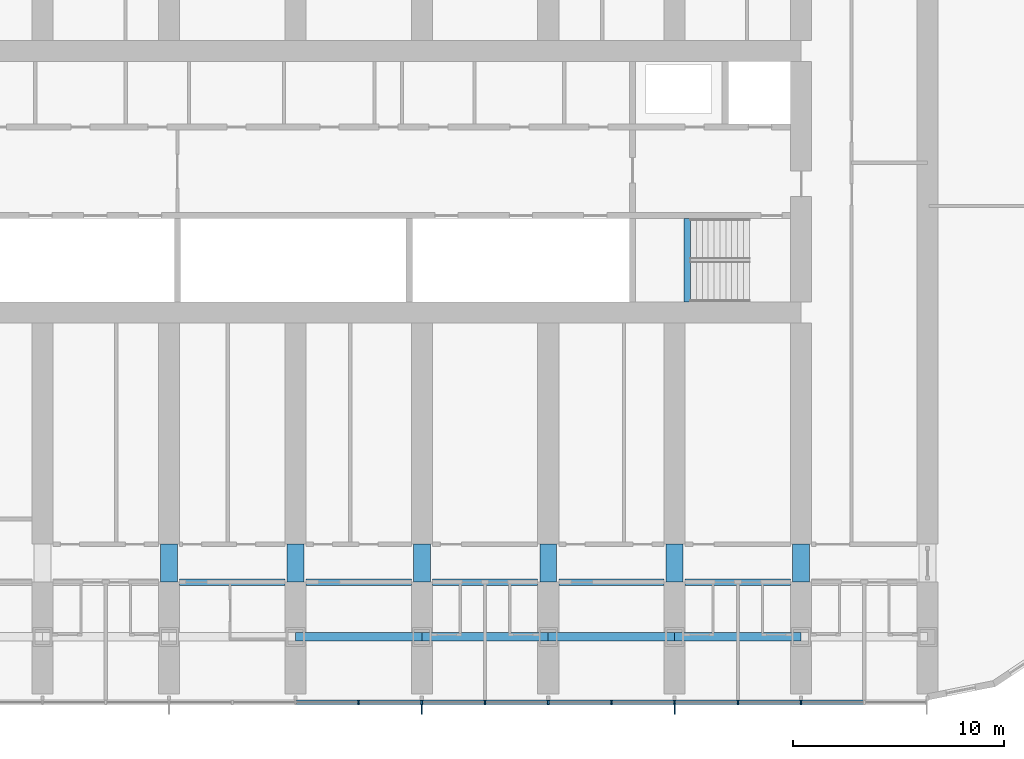
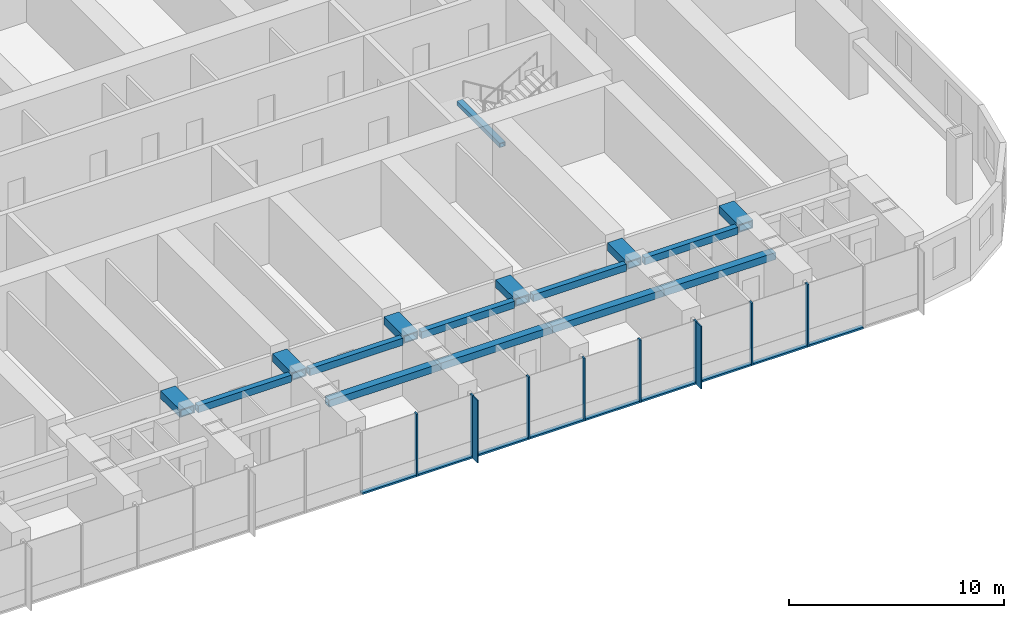
# One storey, part 3 of 24: 19 members, 16 beams, 1 element without a shape of its own.
"""IFC4 building model written with IfcOpenShell, lengths in metres."""

from ifc_helpers import new_model, si_unit, direction, frame, origin, origin_2d, place, context, subcontext, project, spatial, rectangle, hollow_rectangle, extrude, material, material_profile, profile_set, type_object, element, aggregate, save


model = new_model("IFC4")

# Units and contexts
model_context = context("Model", 3, precision=1e-05, world=origin(), true_north=direction((0.0, 1.0)))
body_context = subcontext(model_context, "Body", "Model", "MODEL_VIEW")
ifc_project = project(units=[si_unit("LENGTHUNIT", "METRE"), si_unit("AREAUNIT", "SQUARE_METRE"), si_unit("VOLUMEUNIT", "CUBIC_METRE"), si_unit("PLANEANGLEUNIT", "RADIAN"), si_unit("MASSUNIT", "GRAM", prefix="KILO")], contexts=[model_context])

# Site, building, storey
site_placement = place(None, origin())
site = spatial("IfcSite", under=ifc_project, at=site_placement, CompositionType="ELEMENT")
building_placement = place(site_placement, origin())
building = spatial("IfcBuilding", under=site, at=building_placement, Name="Orbita Commons", CompositionType="ELEMENT")
storey_placement = place(building_placement, frame((0.0, 0.0, 20.199951171875)))
storey = spatial("IfcBuildingStorey", under=building, at=storey_placement, Name="L04", CompositionType="ELEMENT", Elevation=20.199951171875)

# Curtain wall, members
ifc_material_1 = material(Name="Anodised aluminium frame, pale silver", Category="aluminium")
curtain_wall_type = type_object("IfcCurtainWallType", Name="Unitised curtain wall CW-T, vision and spandrel", PredefinedType="NOTDEFINED", material=ifc_material_1)
curtain_wall_placement = place(storey_placement, origin())
curtain_wall = element("IfcCurtainWall", 1, at=curtain_wall_placement, inside=storey, type_object=curtain_wall_type, Name="Curtain wall south L04", PredefinedType="NOTDEFINED")
ifc_material_2 = material(Name="Anodised aluminium, pale silver", Category="aluminium")
ifc_material_profile_1 = material_profile(ifc_material_2, rectangle(XDim=0.080078125, YDim=0.219970703125, at=origin_2d()), Name="AL 80x220")
ifc_profile_set_1 = profile_set([ifc_material_profile_1], Name="Anodised aluminium, pale silver")
member_type_1 = type_object("IfcMemberType", Name="Curtain wall mullion 80x220", PredefinedType="MULLION", material=ifc_profile_set_1)
member_1_placement = place(storey_placement, frame((45.0, 7.2900390625, -0.25), z_axis=(0.0, 0.0, 1.0), x_axis=(1.0, 0.0, 0.0)))
member_1 = element("IfcMember", 2, at=member_1_placement, type_object=member_type_1, Name="Mullion 12 CW-L04-S", PredefinedType="MULLION", context=body_context, shape_type="SweptSolid", body=[
    extrude(rectangle(XDim=0.080078125, YDim=0.219970703125, at=origin_2d()), origin(), (0.0, 0.0, 1.0), 3.550048828125),
])
member_2_placement = place(storey_placement, frame((48.0, 7.2900390625, -0.25), z_axis=(0.0, 0.0, 1.0), x_axis=(1.0, 0.0, 0.0)))
member_2 = element("IfcMember", 3, at=member_2_placement, type_object=member_type_1, Name="Mullion 13 CW-L04-S", PredefinedType="MULLION", context=body_context, shape_type="SweptSolid", body=[
    extrude(rectangle(XDim=0.080078125, YDim=0.219970703125, at=origin_2d()), origin(), (0.0, 0.0, 1.0), 3.550048828125),
])
member_3_placement = place(storey_placement, frame((51.0, 7.2900390625, -0.25), z_axis=(0.0, 0.0, 1.0), x_axis=(1.0, 0.0, 0.0)))
member_3 = element("IfcMember", 4, at=member_3_placement, type_object=member_type_1, Name="Mullion 14 CW-L04-S", PredefinedType="MULLION", context=body_context, shape_type="SweptSolid", body=[
    extrude(rectangle(XDim=0.080078125, YDim=0.219970703125, at=origin_2d()), origin(), (0.0, 0.0, 1.0), 3.550048828125),
])
member_4_placement = place(storey_placement, frame((54.0, 7.2900390625, -0.25), z_axis=(0.0, 0.0, 1.0), x_axis=(1.0, 0.0, 0.0)))
member_4 = element("IfcMember", 5, at=member_4_placement, type_object=member_type_1, Name="Mullion 15 CW-L04-S", PredefinedType="MULLION", context=body_context, shape_type="SweptSolid", body=[
    extrude(rectangle(XDim=0.080078125, YDim=0.219970703125, at=origin_2d()), origin(), (0.0, 0.0, 1.0), 3.550048828125),
])
member_5_placement = place(storey_placement, frame((57.0, 7.2900390625, -0.25), z_axis=(0.0, 0.0, 1.0), x_axis=(1.0, 0.0, 0.0)))
member_5 = element("IfcMember", 6, at=member_5_placement, type_object=member_type_1, Name="Mullion 16 CW-L04-S", PredefinedType="MULLION", context=body_context, shape_type="SweptSolid", body=[
    extrude(rectangle(XDim=0.080078125, YDim=0.219970703125, at=origin_2d()), origin(), (0.0, 0.0, 1.0), 3.550048828125),
])
member_6_placement = place(storey_placement, frame((60.0, 7.2900390625, -0.25), z_axis=(0.0, 0.0, 1.0), x_axis=(1.0, 0.0, 0.0)))
member_6 = element("IfcMember", 7, at=member_6_placement, type_object=member_type_1, Name="Mullion 17 CW-L04-S", PredefinedType="MULLION", context=body_context, shape_type="SweptSolid", body=[
    extrude(rectangle(XDim=0.080078125, YDim=0.219970703125, at=origin_2d()), origin(), (0.0, 0.0, 1.0), 3.550048828125),
])
member_7_placement = place(storey_placement, frame((63.0, 7.2900390625, -0.25), z_axis=(0.0, 0.0, 1.0), x_axis=(1.0, 0.0, 0.0)))
member_7 = element("IfcMember", 8, at=member_7_placement, type_object=member_type_1, Name="Mullion 18 CW-L04-S", PredefinedType="MULLION", context=body_context, shape_type="SweptSolid", body=[
    extrude(rectangle(XDim=0.080078125, YDim=0.219970703125, at=origin_2d()), origin(), (0.0, 0.0, 1.0), 3.550048828125),
])
member_8_placement = place(storey_placement, frame((66.0, 7.2900390625, -0.25), z_axis=(0.0, 0.0, 1.0), x_axis=(1.0, 0.0, 0.0)))
member_8 = element("IfcMember", 9, at=member_8_placement, type_object=member_type_1, Name="Mullion 19 CW-L04-S", PredefinedType="MULLION", context=body_context, shape_type="SweptSolid", body=[
    extrude(rectangle(XDim=0.080078125, YDim=0.219970703125, at=origin_2d()), origin(), (0.0, 0.0, 1.0), 3.550048828125),
])
ifc_material_3 = material(Name="Anodised aluminium, pale silver", Category="aluminium")
ifc_material_profile_2 = material_profile(ifc_material_3, rectangle(XDim=0.219970703125, YDim=0.10009765625, at=origin_2d()), Name="AL 220x100")
ifc_profile_set_2 = profile_set([ifc_material_profile_2], Name="Anodised aluminium, pale silver")
member_type_2 = type_object("IfcMemberType", Name="Curtain wall stack transom 220x100", PredefinedType="USERDEFINED", material=ifc_profile_set_2)
member_9_placement = place(storey_placement, frame((42.0400390625, 7.2900390625, -0.199951171875), z_axis=(1.0, 0.0, 0.0), x_axis=(0.0, 1.0, 0.0)))
member_9 = element("IfcMember", 10, at=member_9_placement, type_object=member_type_2, Name="Transom 11.1 CW-L04-S", ObjectType="TRANSOM", PredefinedType="USERDEFINED", context=body_context, shape_type="SweptSolid", body=[
    extrude(rectangle(XDim=0.219970703125, YDim=0.10009765625, at=origin_2d()), origin(), (0.0, 0.0, 1.0), 2.919921875),
])
member_10_placement = place(storey_placement, frame((45.0400390625, 7.2900390625, -0.199951171875), z_axis=(1.0, 0.0, 0.0), x_axis=(0.0, 1.0, 0.0)))
member_10 = element("IfcMember", 11, at=member_10_placement, type_object=member_type_2, Name="Transom 12.1 CW-L04-S", ObjectType="TRANSOM", PredefinedType="USERDEFINED", context=body_context, shape_type="SweptSolid", body=[
    extrude(rectangle(XDim=0.219970703125, YDim=0.10009765625, at=origin_2d()), origin(), (0.0, 0.0, 1.0), 2.919921875),
])
member_11_placement = place(storey_placement, frame((48.0400390625, 7.2900390625, -0.199951171875), z_axis=(1.0, 0.0, 0.0), x_axis=(0.0, 1.0, 0.0)))
member_11 = element("IfcMember", 12, at=member_11_placement, type_object=member_type_2, Name="Transom 13.1 CW-L04-S", ObjectType="TRANSOM", PredefinedType="USERDEFINED", context=body_context, shape_type="SweptSolid", body=[
    extrude(rectangle(XDim=0.219970703125, YDim=0.10009765625, at=origin_2d()), origin(), (0.0, 0.0, 1.0), 2.919921875),
])
member_12_placement = place(storey_placement, frame((51.0400390625, 7.2900390625, -0.199951171875), z_axis=(1.0, 0.0, 0.0), x_axis=(0.0, 1.0, 0.0)))
member_12 = element("IfcMember", 13, at=member_12_placement, type_object=member_type_2, Name="Transom 14.1 CW-L04-S", ObjectType="TRANSOM", PredefinedType="USERDEFINED", context=body_context, shape_type="SweptSolid", body=[
    extrude(rectangle(XDim=0.219970703125, YDim=0.10009765625, at=origin_2d()), origin(), (0.0, 0.0, 1.0), 2.919921875),
])
member_13_placement = place(storey_placement, frame((54.0400390625, 7.2900390625, -0.199951171875), z_axis=(1.0, 0.0, 0.0), x_axis=(0.0, 1.0, 0.0)))
member_13 = element("IfcMember", 14, at=member_13_placement, type_object=member_type_2, Name="Transom 15.1 CW-L04-S", ObjectType="TRANSOM", PredefinedType="USERDEFINED", context=body_context, shape_type="SweptSolid", body=[
    extrude(rectangle(XDim=0.219970703125, YDim=0.10009765625, at=origin_2d()), origin(), (0.0, 0.0, 1.0), 2.919921875),
])
member_14_placement = place(storey_placement, frame((57.0400390625, 7.2900390625, -0.199951171875), z_axis=(1.0, 0.0, 0.0), x_axis=(0.0, 1.0, 0.0)))
member_14 = element("IfcMember", 15, at=member_14_placement, type_object=member_type_2, Name="Transom 16.1 CW-L04-S", ObjectType="TRANSOM", PredefinedType="USERDEFINED", context=body_context, shape_type="SweptSolid", body=[
    extrude(rectangle(XDim=0.219970703125, YDim=0.10009765625, at=origin_2d()), origin(), (0.0, 0.0, 1.0), 2.919921875),
])
member_15_placement = place(storey_placement, frame((60.0400390625, 7.2900390625, -0.199951171875), z_axis=(1.0, 0.0, 0.0), x_axis=(0.0, 1.0, 0.0)))
member_15 = element("IfcMember", 16, at=member_15_placement, type_object=member_type_2, Name="Transom 17.1 CW-L04-S", ObjectType="TRANSOM", PredefinedType="USERDEFINED", context=body_context, shape_type="SweptSolid", body=[
    extrude(rectangle(XDim=0.219970703125, YDim=0.10009765625, at=origin_2d()), origin(), (0.0, 0.0, 1.0), 2.919921875),
])
member_16_placement = place(storey_placement, frame((63.0400390625, 7.2900390625, -0.199951171875), z_axis=(1.0, 0.0, 0.0), x_axis=(0.0, 1.0, 0.0)))
member_16 = element("IfcMember", 17, at=member_16_placement, type_object=member_type_2, Name="Transom 18.1 CW-L04-S", ObjectType="TRANSOM", PredefinedType="USERDEFINED", context=body_context, shape_type="SweptSolid", body=[
    extrude(rectangle(XDim=0.219970703125, YDim=0.10009765625, at=origin_2d()), origin(), (0.0, 0.0, 1.0), 2.919921875),
])
member_17_placement = place(storey_placement, frame((66.0400390625, 7.2900390625, -0.199951171875), z_axis=(1.0, 0.0, 0.0), x_axis=(0.0, 1.0, 0.0)))
member_17 = element("IfcMember", 18, at=member_17_placement, type_object=member_type_2, Name="Transom 19.1 CW-L04-S", ObjectType="TRANSOM", PredefinedType="USERDEFINED", context=body_context, shape_type="SweptSolid", body=[
    extrude(rectangle(XDim=0.219970703125, YDim=0.10009765625, at=origin_2d()), origin(), (0.0, 0.0, 1.0), 2.919921875),
])

# Beams
ifc_material_4 = material(Name="Steel ASTM A572 Gr 50 welded plate", Category="steel")
ifc_material_profile_3 = material_profile(ifc_material_4, hollow_rectangle(XDim=0.300048828125, YDim=0.25, WallThickness=0.02490234375, at=origin_2d()), Name="BOX 250x300x25")
ifc_profile_set_3 = profile_set([ifc_material_profile_3], Name="Steel ASTM A572 Gr 50 welded plate")
beam_type_1 = type_object("IfcBeamType", Name="Stair landing beam steel BOX 250x300x25", PredefinedType="BEAM", material=ifc_profile_set_3)
beam_placement = place(storey_placement, frame((60.60009765625, 26.284912109375, 1.550048828125), z_axis=(0.0, 1.0, 0.0), x_axis=(-1.0, 0.0, 0.0)))
element("IfcBeam", 19, at=beam_placement, inside=storey, type_object=beam_type_1, Name="Stair S2 landing beam L04 1", PredefinedType="BEAM", context=body_context, shape_type="SweptSolid", body=[
    extrude(hollow_rectangle(XDim=0.300048828125, YDim=0.25, WallThickness=0.02490234375, at=origin_2d()), origin(), (0.0, 0.0, 1.0), 3.97998046875),
])
ifc_material_5 = material(Name="Steel ASTM A572 Gr 50 welded plate", Category="steel")
ifc_material_profile_4 = material_profile(ifc_material_5, hollow_rectangle(XDim=0.300048828125, YDim=0.39990234375, WallThickness=0.0400390625, at=origin_2d()), Name="BOX 400x300x40")
ifc_profile_set_4 = profile_set([ifc_material_profile_4], Name="Steel ASTM A572 Gr 50 welded plate")
beam_type_2 = type_object("IfcBeamType", Name="Steel corridor link BOX 400x300x40", PredefinedType="BEAM", material=ifc_profile_set_4)
for number, where, z_axis, x_axis, name in (
    (20, (36.5, 13.0, 3.10009765625), (1.0, 0.0, 0.0), (0.0, 1.0, 0.0), "Corridor beam SA 7-8 L04"),
    (21, (42.5, 13.0, 3.10009765625), (1.0, 0.0, 0.0), (0.0, 1.0, 0.0), "Corridor beam SA 8-9 L04"),
    (22, (48.5, 13.0, 3.10009765625), (1.0, 0.0, 0.0), (0.0, 1.0, 0.0), "Corridor beam SA 9-10 L04"),
    (23, (54.5, 13.0, 3.10009765625), (1.0, 0.0, 0.0), (0.0, 1.0, 0.0), "Corridor beam SA 10-11 L04"),
    (24, (60.5, 13.0, 3.10009765625), (1.0, 0.0, 0.0), (0.0, 1.0, 0.0), "Corridor beam SA 11-12 L04"),
):
    element("IfcBeam", number, at=place(storey_placement, frame(where, z_axis=z_axis, x_axis=x_axis)), inside=storey, type_object=beam_type_2, Name=name, PredefinedType="BEAM", context=body_context, shape_type="SweptSolid", body=[
        extrude(hollow_rectangle(XDim=0.300048828125, YDim=0.39990234375, WallThickness=0.0400390625, at=origin_2d()), origin(), (0.0, 0.0, 1.0), 5.0),
    ])
ifc_material_6 = material(Name="Steel ASTM A572 Gr 50 welded plate", Category="steel")
ifc_material_profile_5 = material_profile(ifc_material_6, hollow_rectangle(XDim=0.800048828125, YDim=0.449951171875, WallThickness=0.06005859375, at=origin_2d()), Name="BOX 450x800x60")
ifc_profile_set_5 = profile_set([ifc_material_profile_5], Name="Steel ASTM A572 Gr 50 welded plate")
beam_type_3 = type_object("IfcBeamType", Name="Steel coupling link BOX 450x800x60", PredefinedType="LINTEL", material=ifc_profile_set_5)
for number, where, z_axis, x_axis, name in (
    (25, (36.0, 13.0, 3.074951171875), (0.0, 1.0, 0.0), (-1.0, 0.0, 0.0), "Coupling beam 7 south L04"),
    (26, (42.0, 13.0, 3.074951171875), (0.0, 1.0, 0.0), (-1.0, 0.0, 0.0), "Coupling beam 8 south L04"),
    (27, (48.0, 13.0, 3.074951171875), (0.0, 1.0, 0.0), (-1.0, 0.0, 0.0), "Coupling beam 9 south L04"),
    (28, (54.0, 13.0, 3.074951171875), (0.0, 1.0, 0.0), (-1.0, 0.0, 0.0), "Coupling beam 10 south L04"),
    (29, (60.0, 13.0, 3.074951171875), (0.0, 1.0, 0.0), (-1.0, 0.0, 0.0), "Coupling beam 11 south L04"),
    (30, (66.0, 13.0, 3.074951171875), (0.0, 1.0, 0.0), (-1.0, 0.0, 0.0), "Coupling beam 12 south L04"),
):
    element("IfcBeam", number, at=place(storey_placement, frame(where, z_axis=z_axis, x_axis=x_axis)), inside=storey, type_object=beam_type_3, Name=name, PredefinedType="LINTEL", context=body_context, shape_type="SweptSolid", body=[
        extrude(hollow_rectangle(XDim=0.800048828125, YDim=0.449951171875, WallThickness=0.06005859375, at=origin_2d()), origin(), (0.0, 0.0, 1.0), 1.800048828125),
    ])
ifc_material_7 = material(Name="Steel ASTM A572 Gr 50 welded plate", Category="steel")
ifc_material_profile_6 = material_profile(ifc_material_7, hollow_rectangle(XDim=0.39990234375, YDim=0.39990234375, WallThickness=0.0400390625, at=origin_2d()), Name="BOX 400x400x40")
ifc_profile_set_6 = profile_set([ifc_material_profile_6], Name="Steel ASTM A572 Gr 50 welded plate")
beam_type_4 = type_object("IfcBeamType", Name="Steel spandrel BOX 400x400x40", PredefinedType="SPANDREL", material=ifc_profile_set_6)
for number, where, z_axis, x_axis, name in (
    (31, (42.0, 10.39990234375, 3.10009765625), (1.0, 0.0, 0.0), (0.0, 1.0, 0.0), "Spandrel beam B 8-9 L04"),
    (32, (48.0, 10.39990234375, 3.10009765625), (1.0, 0.0, 0.0), (0.0, 1.0, 0.0), "Spandrel beam B 9-10 L04"),
    (33, (54.0, 10.39990234375, 3.10009765625), (1.0, 0.0, 0.0), (0.0, 1.0, 0.0), "Spandrel beam B 10-11 L04"),
    (34, (60.0, 10.39990234375, 3.10009765625), (1.0, 0.0, 0.0), (0.0, 1.0, 0.0), "Spandrel beam B 11-12 L04"),
):
    element("IfcBeam", number, at=place(storey_placement, frame(where, z_axis=z_axis, x_axis=x_axis)), inside=storey, type_object=beam_type_4, Name=name, PredefinedType="SPANDREL", context=body_context, shape_type="SweptSolid", body=[
        extrude(hollow_rectangle(XDim=0.39990234375, YDim=0.39990234375, WallThickness=0.0400390625, at=origin_2d()), origin(), (0.0, 0.0, 1.0), 6.0),
    ])

# Member
ifc_material_8 = material(Name="Anodised aluminium, pale silver", Category="aluminium")
ifc_material_profile_7 = material_profile(ifc_material_8, rectangle(XDim=0.06005859375, YDim=0.449951171875, at=origin_2d()), Name="FIN 60x450")
ifc_profile_set_7 = profile_set([ifc_material_profile_7], Name="Anodised aluminium, pale silver")
member_type_3 = type_object("IfcMemberType", Name="Vertical fin 60x450 pale aluminium", PredefinedType="USERDEFINED", material=ifc_profile_set_7)
member_18_placement = place(storey_placement, frame((48.0, 6.955078125, -0.25), z_axis=(0.0, 0.0, 1.0), x_axis=(1.0, 0.0, 0.0)))
member_18 = element("IfcMember", 35, at=member_18_placement, type_object=member_type_3, Name="Fin 13 CW-L04-S", ObjectType="FIN", PredefinedType="USERDEFINED", context=body_context, shape_type="SweptSolid", body=[
    extrude(rectangle(XDim=0.06005859375, YDim=0.449951171875, at=origin_2d()), origin(), (0.0, 0.0, 1.0), 3.550048828125),
])

member_19_placement = place(storey_placement, frame((60.0, 6.955078125, -0.25), z_axis=(0.0, 0.0, 1.0), x_axis=(1.0, 0.0, 0.0)))
member_19 = element("IfcMember", 36, at=member_19_placement, type_object=member_type_3, Name="Fin 17 CW-L04-S", ObjectType="FIN", PredefinedType="USERDEFINED", context=body_context, shape_type="SweptSolid", body=[
    extrude(rectangle(XDim=0.06005859375, YDim=0.449951171875, at=origin_2d()), origin(), (0.0, 0.0, 1.0), 3.550048828125),
])

aggregate(curtain_wall, [member_1, member_2, member_18, member_3, member_4, member_5, member_6, member_19, member_7, member_8, member_9, member_10, member_11, member_12, member_13, member_14, member_15, member_16, member_17])

save(model, "model.ifc")
